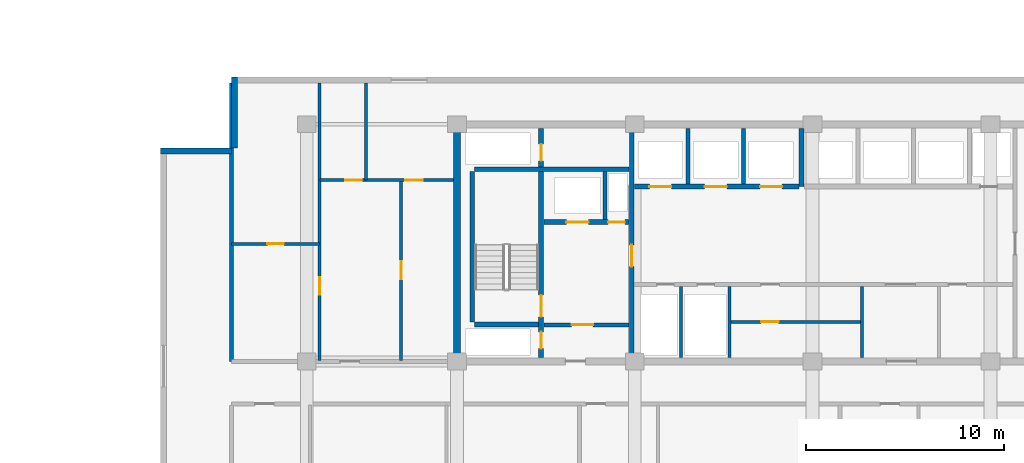
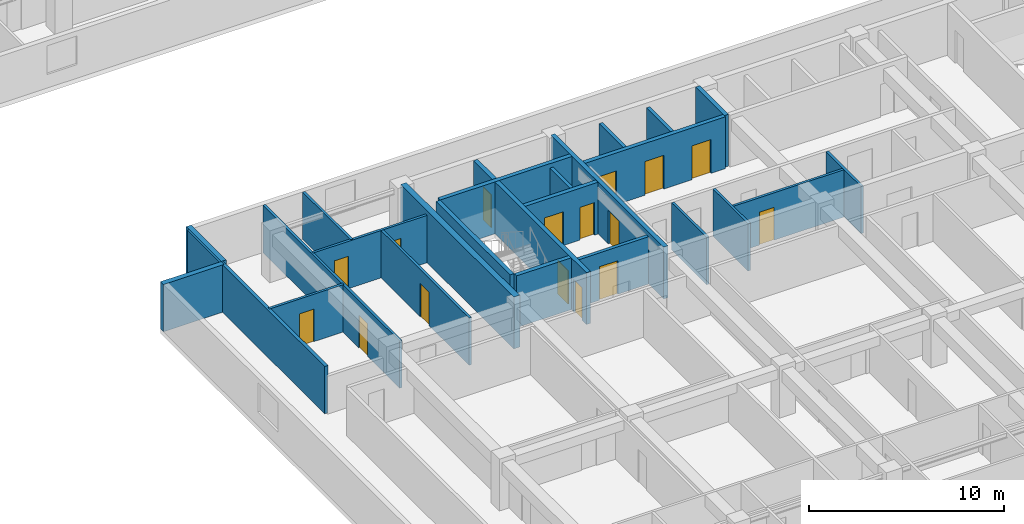
# One storey, part 7 of 23: 25 walls, 16 doors, 16 openings.
"""IFC4 building model written with IfcOpenShell, lengths in metres."""

from ifc_helpers import new_model, si_unit, direction, frame, frame_2d, origin, place, context, subcontext, project, spatial, rectangle, extrude, material, layer, layer_set, type_object, element, fill, save


model = new_model("IFC4")

# Units and contexts
model_context = context("Model", 3, precision=1e-05, world=origin(), true_north=direction((0.0, 1.0)))
body_context = subcontext(model_context, "Body", "Model", "MODEL_VIEW")
ifc_project = project(units=[si_unit("LENGTHUNIT", "METRE"), si_unit("AREAUNIT", "SQUARE_METRE"), si_unit("VOLUMEUNIT", "CUBIC_METRE"), si_unit("PLANEANGLEUNIT", "RADIAN"), si_unit("MASSUNIT", "GRAM", prefix="KILO")], contexts=[model_context])

# Site, building, storey
site_placement = place(None, origin())
site = spatial("IfcSite", under=ifc_project, at=site_placement, CompositionType="ELEMENT")
building_placement = place(site_placement, origin())
building = spatial("IfcBuilding", under=site, at=building_placement, Name="Korimba Cascade Residences", CompositionType="ELEMENT")
storey_placement = place(building_placement, frame((0.0, 0.0, 69.5)))
storey = spatial("IfcBuildingStorey", under=building, at=storey_placement, Name="L19", CompositionType="ELEMENT", Elevation=69.5)

# Walls
ifc_material_1 = material(Name="Precast concrete C40/50", Category="concrete")
ifc_layer_1 = layer(ifc_material_1, 0.300048828125)
ifc_layer_set_1 = layer_set([ifc_layer_1], Name="Precast concrete C40/50")
wall_type_1 = type_object("IfcWallType", Name="EW-STONE-300", PredefinedType="STANDARD", material=ifc_layer_set_1)
wall_1_placement = place(storey_placement, frame((70.85009765625, 32.800048828125, 0.0), z_axis=(0.0, 0.0, 1.0), x_axis=(0.0, -1.0, 0.0)))
element("IfcWall", 1, at=wall_1_placement, inside=storey, type_object=wall_type_1, Name="L19 T2 Perimeter Stone Wall E07", PredefinedType="STANDARD", context=body_context, shape_type="SweptSolid", body=[
    extrude(rectangle(XDim=3.60009765625, YDim=0.300048828125, at=frame_2d((1.800048828125, 0.0))), origin(), (0.0, 0.0, 1.0), 2.969970703125),
])
wall_2_placement = place(storey_placement, frame((70.699951171875, 29.050048828125, 0.0), z_axis=(0.0, 0.0, 1.0), x_axis=(-1.0, 0.0, 0.0)))
element("IfcWall", 2, at=wall_2_placement, inside=storey, type_object=wall_type_1, Name="L19 T2 Perimeter Stone Wall E08", PredefinedType="STANDARD", context=body_context, shape_type="SweptSolid", body=[
    extrude(rectangle(XDim=3.599853515625, YDim=0.300048828125, at=frame_2d((1.7998046875, 0.0))), origin(), (0.0, 0.0, 1.0), 2.969970703125),
])
ifc_material_2 = material(Name="Concrete C65/80", Category="concrete")
ifc_layer_2 = layer(ifc_material_2, 0.35009765625)
ifc_layer_set_2 = layer_set([ifc_layer_2], Name="Concrete C65/80")
wall_type_2 = type_object("IfcWallType", Name="WAL-CORE-350", PredefinedType="SHEAR", material=ifc_layer_set_2)
wall_3_placement = place(storey_placement, frame((82.10009765625, 18.574951171875, 0.0), z_axis=(0.0, 0.0, 1.0), x_axis=(0.0, 1.0, 0.0)))
element("IfcWall", 3, at=wall_3_placement, inside=storey, type_object=wall_type_2, Name="L19 Core Shear Wall CW-L19-T2-W", PredefinedType="SHEAR", context=body_context, shape_type="SweptSolid", body=[
    extrude(rectangle(XDim=11.650146484375, YDim=0.35009765625, at=frame_2d((5.8251953125, 0.0))), origin(), (0.0, 0.0, 1.0), 3.25),
])
ifc_layer_3 = layer(ifc_material_1, 0.199951171875)
ifc_layer_set_3 = layer_set([ifc_layer_3], Name="Precast concrete C40/50")
wall_type_3 = type_object("IfcWallType", Name="WAL-IT-200", PredefinedType="PARTITIONING", material=ifc_layer_set_3)
wall_4_placement = place(storey_placement, frame((70.699951171875, 18.39990234375, 0.0), z_axis=(0.0, 0.0, 1.0), x_axis=(0.0, 1.0, 0.0)))
element("IfcWall", 4, at=wall_4_placement, inside=storey, type_object=wall_type_3, Name="L19 Partition Wall WAL-L19-T2-FW-WL", PredefinedType="PARTITIONING", context=body_context, shape_type="SweptSolid", body=[
    extrude(rectangle(XDim=14.10009765625, YDim=0.199951171875, at=frame_2d((7.050048828125, 0.0))), origin(), (0.0, 0.0, 1.0), 2.969970703125),
])
ifc_material_3 = material(Name="Insulated Acoustic Stud Partition", Category="gypsum")
ifc_layer_4 = layer(ifc_material_3, 0.14990234375)
ifc_layer_set_4 = layer_set([ifc_layer_4], Name="Insulated Acoustic Stud Partition")
wall_type_4 = type_object("IfcWallType", Name="WAL-PART-150", PredefinedType="PARTITIONING", material=ifc_layer_set_4)
for number, where, z_axis, x_axis, name in (
    (5, (93.449951171875, 18.60009765625, 0.0), (0.0, 0.0, 1.0), (0.0, 1.0, 0.0), "L19 Partition Wall CW-L19-T2-ERDIV"),
    (6, (95.89990234375, 18.60009765625, 0.0), (0.0, 0.0, 1.0), (0.0, 1.0, 0.0), "L19 Partition Wall CW-L19-T2-PRDIV"),
):
    element("IfcWall", number, at=place(storey_placement, frame(where, z_axis=z_axis, x_axis=x_axis)), inside=storey, type_object=wall_type_4, Name=name, PredefinedType="PARTITIONING", context=body_context, shape_type="SweptSolid", body=[
        extrude(rectangle(XDim=3.599853515625, YDim=0.14990234375, at=frame_2d((1.7998046875, 0.0))), origin(), (0.0, 0.0, 1.0), 2.969970703125),
    ])

# Wall, opening, door
wall_5_placement = place(storey_placement, frame((95.89990234375, 20.39990234375, 0.0), z_axis=(0.0, 0.0, 1.0), x_axis=(1.0, 0.0, 0.0)))
wall_5 = element("IfcWall", 7, at=wall_5_placement, inside=storey, type_object=wall_type_4, Name="L19 Partition Wall CW-L19-T2-CA2HZ", PredefinedType="PARTITIONING", context=body_context, shape_type="SweptSolid", body=[
    extrude(rectangle(XDim=6.7001953125, YDim=0.14990234375, at=frame_2d((3.35009765625, 0.0))), origin(), (0.0, 0.0, 1.0), 2.969970703125),
])
opening_1_placement = place(wall_5_placement, frame((1.60009765625, 0.0, 0.0)))
opening_1 = element("IfcOpeningElement", 8, at=opening_1_placement, cuts=wall_5, Name="Opening D-IN2", PredefinedType="OPENING", context=body_context, shape_type="SweptSolid", body=[
    extrude(rectangle(XDim=0.8798828125, YDim=2.06005859375, at=frame_2d((0.43994140625, 1.030029296875))), frame((0.0, 0.0849609375, 0.0), z_axis=(0.0, -1.0, 0.0), x_axis=(1.0, 0.0, 0.0)), (0.0, 0.0, 1.0), 0.169921875),
])
ifc_material_4 = material(Name="Acoustic Timber Bedroom Door", Category="wood")
door_type_1 = type_object("IfcDoorType", Name="DR-INT-880", OperationType="NOTDEFINED", PredefinedType="DOOR", material=ifc_material_4)
door_1_placement = place(opening_1_placement, origin())
door_1 = element("IfcDoor", 9, at=door_1_placement, inside=storey, type_object=door_type_1, Name="L19 T2 Pram Store Door", OperationType="SINGLE_SWING_RIGHT", OverallHeight=2.06005859375, OverallWidth=0.8798828125, PredefinedType="DOOR", context=body_context, shape_type="SweptSolid", body=[
    extrude(rectangle(XDim=0.8798828125, YDim=2.06005859375, at=frame_2d((0.43994140625, 1.030029296875))), frame((0.0, 0.02490234375, 0.0), z_axis=(0.0, -1.0, 0.0), x_axis=(1.0, 0.0, 0.0)), (0.0, 0.0, 1.0), 0.050048828125),
])
fill(opening_1, door_1)

# Wall
wall_6_placement = place(storey_placement, frame((102.60009765625, 18.60009765625, 0.0), z_axis=(0.0, 0.0, 1.0), x_axis=(0.0, 1.0, 0.0)))
element("IfcWall", 10, at=wall_6_placement, inside=storey, type_object=wall_type_4, Name="L19 Partition Wall CW-L19-T2-THW", PredefinedType="PARTITIONING", context=body_context, shape_type="SweptSolid", body=[
    extrude(rectangle(XDim=3.599853515625, YDim=0.14990234375, at=frame_2d((1.7998046875, 0.0))), origin(), (0.0, 0.0, 1.0), 2.969970703125),
])

# Wall, opening, door
wall_7_placement = place(storey_placement, frame((70.699951171875, 24.35009765625, 0.0), z_axis=(0.0, 0.0, 1.0), x_axis=(1.0, 0.0, 0.0)))
wall_7 = element("IfcWall", 11, at=wall_7_placement, inside=storey, type_object=wall_type_4, Name="L19 Partition Wall WAL-L19-T2-FW-STH", PredefinedType="PARTITIONING", context=body_context, shape_type="SweptSolid", body=[
    extrude(rectangle(XDim=4.449951171875, YDim=0.14990234375, at=frame_2d((2.22509765625, 0.0))), origin(), (0.0, 0.0, 1.0), 2.969970703125),
])
opening_2_placement = place(wall_7_placement, frame((1.804931640625, 0.0, 0.0)))
opening_2 = element("IfcOpeningElement", 12, at=opening_2_placement, cuts=wall_7, Name="Opening D-BT1", PredefinedType="OPENING", context=body_context, shape_type="SweptSolid", body=[
    extrude(rectangle(XDim=0.840087890625, YDim=2.0400390625, at=frame_2d((0.419921875, 1.02001953125))), frame((0.0, 0.0849609375, 0.0), z_axis=(0.0, -1.0, 0.0), x_axis=(1.0, 0.0, 0.0)), (0.0, 0.0, 1.0), 0.169921875),
])
ifc_material_5 = material(Name="Moisture-Resistant Bathroom Timber Door", Category="wood")
door_type_2 = type_object("IfcDoorType", Name="DR-INT-850", OperationType="NOTDEFINED", PredefinedType="DOOR", material=ifc_material_5)
door_2_placement = place(opening_2_placement, origin())
door_2 = element("IfcDoor", 13, at=door_2_placement, inside=storey, type_object=door_type_2, Name="L19-T2-FW Dressing Store Door", OperationType="SINGLE_SWING_LEFT", OverallHeight=2.0400390625, OverallWidth=0.840087890625, PredefinedType="DOOR", context=body_context, shape_type="SweptSolid", body=[
    extrude(rectangle(XDim=0.840087890625, YDim=2.0400390625, at=frame_2d((0.419921875, 1.02001953125))), frame((0.0, 0.02490234375, 0.0), z_axis=(0.0, -1.0, 0.0), x_axis=(1.0, 0.0, 0.0)), (0.0, 0.0, 1.0), 0.050048828125),
])
fill(opening_2, door_2)

wall_8_placement = place(storey_placement, frame((75.14990234375, 18.449951171875, 0.0), z_axis=(0.0, 0.0, 1.0), x_axis=(0.0, 1.0, 0.0)))
wall_8 = element("IfcWall", 14, at=wall_8_placement, inside=storey, type_object=wall_type_4, Name="L19 Partition Wall WAL-L19-T2-FW-STV", PredefinedType="PARTITIONING", context=body_context, shape_type="SweptSolid", body=[
    extrude(rectangle(XDim=14.050048828125, YDim=0.14990234375, at=frame_2d((7.02490234375, 0.0))), origin(), (0.0, 0.0, 1.0), 2.969970703125),
])
opening_3_placement = place(wall_8_placement, frame((3.320068359375, 0.0, 0.0)))
opening_3 = element("IfcOpeningElement", 15, at=opening_3_placement, cuts=wall_8, Name="Opening D-IN2", PredefinedType="OPENING", context=body_context, shape_type="SweptSolid", body=[
    extrude(rectangle(XDim=0.8798828125, YDim=2.06005859375, at=frame_2d((0.43994140625, 1.030029296875))), frame((0.0, 0.0849609375, 0.0), z_axis=(0.0, -1.0, 0.0), x_axis=(1.0, 0.0, 0.0)), (0.0, 0.0, 1.0), 0.169921875),
])
door_3_placement = place(opening_3_placement, origin())
door_3 = element("IfcDoor", 16, at=door_3_placement, inside=storey, type_object=door_type_1, Name="L19-T2-FW Study Door", OperationType="SINGLE_SWING_RIGHT", OverallHeight=2.06005859375, OverallWidth=0.8798828125, PredefinedType="DOOR", context=body_context, shape_type="SweptSolid", body=[
    extrude(rectangle(XDim=0.8798828125, YDim=2.06005859375, at=frame_2d((0.43994140625, 1.030029296875))), frame((0.0, 0.02490234375, 0.0), z_axis=(0.0, -1.0, 0.0), x_axis=(1.0, 0.0, 0.0)), (0.0, 0.0, 1.0), 0.050048828125),
])
fill(opening_3, door_3)

wall_9_placement = place(storey_placement, frame((79.27001953125, 18.449951171875, 0.0), z_axis=(0.0, 0.0, 1.0), x_axis=(0.0, 1.0, 0.0)))
wall_9 = element("IfcWall", 17, at=wall_9_placement, inside=storey, type_object=wall_type_4, Name="L19 Partition Wall WAL-L19-T2-FW-VS", PredefinedType="PARTITIONING", context=body_context, shape_type="SweptSolid", body=[
    extrude(rectangle(XDim=9.1201171875, YDim=0.14990234375, at=frame_2d((4.56005859375, 0.0))), origin(), (0.0, 0.0, 1.0), 2.969970703125),
])
opening_4_placement = place(wall_9_placement, frame((4.10009765625, 0.0, 0.0)))
opening_4 = element("IfcOpeningElement", 18, at=opening_4_placement, cuts=wall_9, Name="Opening D-IN1", PredefinedType="OPENING", context=body_context, shape_type="SweptSolid", body=[
    extrude(rectangle(XDim=0.919921875, YDim=2.080078125, at=frame_2d((0.4599609375, 1.0400390625))), frame((0.0, 0.0849609375, 0.0), z_axis=(0.0, -1.0, 0.0), x_axis=(1.0, 0.0, 0.0)), (0.0, 0.0, 1.0), 0.169921875),
])
ifc_material_6 = material(Name="Acoustic Timber Living Door", Category="wood")
door_type_3 = type_object("IfcDoorType", Name="DR-INT-920", OperationType="NOTDEFINED", PredefinedType="DOOR", material=ifc_material_6)
door_4_placement = place(opening_4_placement, origin())
door_4 = element("IfcDoor", 19, at=door_4_placement, inside=storey, type_object=door_type_3, Name="L19-T2-FW Living Door", OperationType="SINGLE_SWING_LEFT", OverallHeight=2.080078125, OverallWidth=0.919921875, PredefinedType="DOOR", context=body_context, shape_type="SweptSolid", body=[
    extrude(rectangle(XDim=0.919921875, YDim=2.080078125, at=frame_2d((0.4599609375, 1.0400390625))), frame((0.0, 0.02490234375, 0.0), z_axis=(0.0, -1.0, 0.0), x_axis=(1.0, 0.0, 0.0)), (0.0, 0.0, 1.0), 0.050048828125),
])
fill(opening_4, door_4)

# Wall
wall_10_placement = place(storey_placement, frame((77.5, 27.570068359375, 0.0), z_axis=(0.0, 0.0, 1.0), x_axis=(0.0, 1.0, 0.0)))
element("IfcWall", 20, at=wall_10_placement, inside=storey, type_object=wall_type_4, Name="L19 Partition Wall WAL-L19-T2-FW-VN", PredefinedType="PARTITIONING", context=body_context, shape_type="SweptSolid", body=[
    extrude(rectangle(XDim=4.929931640625, YDim=0.14990234375, at=frame_2d((2.46484375, 0.0))), origin(), (0.0, 0.0, 1.0), 2.969970703125),
])

# Wall, openings, doors
wall_11_placement = place(storey_placement, frame((75.169921875, 27.570068359375, 0.0), z_axis=(0.0, 0.0, 1.0), x_axis=(1.0, 0.0, 0.0)))
wall_11 = element("IfcWall", 21, at=wall_11_placement, inside=storey, type_object=wall_type_4, Name="L19 Partition Wall WAL-L19-T2-FW-H", PredefinedType="PARTITIONING", context=body_context, shape_type="SweptSolid", body=[
    extrude(rectangle(XDim=6.760009765625, YDim=0.14990234375, at=frame_2d((3.3798828125, 0.0))), origin(), (0.0, 0.0, 1.0), 2.969970703125),
])
opening_5_placement = place(wall_11_placement, frame((1.266357421875, 0.0, 0.0)))
opening_5 = element("IfcOpeningElement", 22, at=opening_5_placement, cuts=wall_11, Name="Opening D-BT1", PredefinedType="OPENING", context=body_context, shape_type="SweptSolid", body=[
    extrude(rectangle(XDim=0.840087890625, YDim=2.0400390625, at=frame_2d((0.419921875, 1.02001953125))), frame((0.0, 0.0849609375, 0.0), z_axis=(0.0, -1.0, 0.0), x_axis=(1.0, 0.0, 0.0)), (0.0, 0.0, 1.0), 0.169921875),
])
opening_6_placement = place(wall_11_placement, frame((4.320068359375, 0.0, 0.0)))
opening_6 = element("IfcOpeningElement", 23, at=opening_6_placement, cuts=wall_11, Name="Opening D-IN2", PredefinedType="OPENING", context=body_context, shape_type="SweptSolid", body=[
    extrude(rectangle(XDim=0.8798828125, YDim=2.06005859375, at=frame_2d((0.43994140625, 1.030029296875))), frame((0.0, 0.0849609375, 0.0), z_axis=(0.0, -1.0, 0.0), x_axis=(1.0, 0.0, 0.0)), (0.0, 0.0, 1.0), 0.169921875),
])
door_5_placement = place(opening_5_placement, origin())
door_5 = element("IfcDoor", 24, at=door_5_placement, inside=storey, type_object=door_type_2, Name="L19-T2-FW Bathroom Door", OperationType="SINGLE_SWING_RIGHT", OverallHeight=2.0400390625, OverallWidth=0.840087890625, PredefinedType="DOOR", context=body_context, shape_type="SweptSolid", body=[
    extrude(rectangle(XDim=0.840087890625, YDim=2.0400390625, at=frame_2d((0.419921875, 1.02001953125))), frame((0.0, 0.02490234375, 0.0), z_axis=(0.0, -1.0, 0.0), x_axis=(1.0, 0.0, 0.0)), (0.0, 0.0, 1.0), 0.050048828125),
])
fill(opening_5, door_5)
door_6_placement = place(opening_6_placement, origin())
door_6 = element("IfcDoor", 25, at=door_6_placement, inside=storey, type_object=door_type_1, Name="L19-T2-FW Bedroom Door", OperationType="SINGLE_SWING_LEFT", OverallHeight=2.06005859375, OverallWidth=0.8798828125, PredefinedType="DOOR", context=body_context, shape_type="SweptSolid", body=[
    extrude(rectangle(XDim=0.8798828125, YDim=2.06005859375, at=frame_2d((0.43994140625, 1.030029296875))), frame((0.0, 0.02490234375, 0.0), z_axis=(0.0, -1.0, 0.0), x_axis=(1.0, 0.0, 0.0)), (0.0, 0.0, 1.0), 0.050048828125),
])
fill(opening_6, door_6)

# Wall
ifc_material_7 = material(Name="Concrete C40/50", Category="concrete")
ifc_layer_5 = layer(ifc_material_7, 0.199951171875)
ifc_layer_set_5 = layer_set([ifc_layer_5], Name="Concrete C40/50")
wall_type_5 = type_object("IfcWallType", Name="WAL-PART-200", PredefinedType="PARTITIONING", material=ifc_layer_set_5)
wall_12_placement = place(storey_placement, frame((89.60009765625, 25.580078125, 0.0), z_axis=(0.0, 0.0, 1.0), x_axis=(0.0, 1.0, 0.0)))
element("IfcWall", 26, at=wall_12_placement, inside=storey, type_object=wall_type_5, Name="L19 Partition Wall CW-L19-T2-FFLDIV", PredefinedType="PARTITIONING", context=body_context, shape_type="SweptSolid", body=[
    extrude(rectangle(XDim=2.419921875, YDim=0.199951171875, at=frame_2d((1.2099609375, 0.0))), origin(), (0.0, 0.0, 1.0), 2.969970703125),
])

# Wall, opening, door
wall_13_placement = place(storey_placement, frame((86.5, 20.25, 0.0), z_axis=(0.0, 0.0, 1.0), x_axis=(1.0, 0.0, 0.0)))
wall_13 = element("IfcWall", 27, at=wall_13_placement, inside=storey, type_object=wall_type_5, Name="L19 Partition Wall CW-L19-T2-FFLS", PredefinedType="PARTITIONING", context=body_context, shape_type="SweptSolid", body=[
    extrude(rectangle(XDim=4.320068359375, YDim=0.199951171875, at=frame_2d((2.16015625, 0.0))), origin(), (0.0, 0.0, 1.0), 2.969970703125),
])
opening_7_placement = place(wall_13_placement, frame((1.39990234375, 0.0, 0.0)))
opening_7 = element("IfcOpeningElement", 28, at=opening_7_placement, cuts=wall_13, Name="Opening D-FD1", PredefinedType="OPENING", context=body_context, shape_type="SweptSolid", body=[
    extrude(rectangle(XDim=1.10009765625, YDim=2.10009765625, at=frame_2d((0.550048828125, 1.050048828125))), frame((0.0, 0.10986328125, 0.0), z_axis=(0.0, -1.0, 0.0), x_axis=(1.0, 0.0, 0.0)), (0.0, 0.0, 1.0), 0.219970703125),
])
ifc_material_8 = material(Name="Fire-Rated Steel Core Door", Category="steel")
door_type_4 = type_object("IfcDoorType", Name="DR-FD120-1100", OperationType="NOTDEFINED", PredefinedType="DOOR", material=ifc_material_8)
door_7_placement = place(opening_7_placement, origin())
door_7 = element("IfcDoor", 29, at=door_7_placement, inside=storey, type_object=door_type_4, Name="L19 T2 Firefighting Lobby Door", OperationType="SINGLE_SWING_LEFT", OverallHeight=2.10009765625, OverallWidth=1.10009765625, PredefinedType="DOOR", context=body_context, shape_type="SweptSolid", body=[
    extrude(rectangle(XDim=1.10009765625, YDim=2.10009765625, at=frame_2d((0.550048828125, 1.050048828125))), frame((0.0, 0.02490234375, 0.0), z_axis=(0.0, -1.0, 0.0), x_axis=(1.0, 0.0, 0.0)), (0.0, 0.0, 1.0), 0.050048828125),
])
fill(opening_7, door_7)

# Walls
for number, where, z_axis, x_axis, name in (
    (30, (93.800048828125, 27.3798828125, 0.0), (0.0, 0.0, 1.0), (0.0, 1.0, 0.0), "L19 Partition Wall CW-L19-T2-B1D1"),
    (31, (96.60009765625, 27.3798828125, 0.0), (0.0, 0.0, 1.0), (0.0, 1.0, 0.0), "L19 Partition Wall CW-L19-T2-B1D2"),
):
    element("IfcWall", number, at=place(storey_placement, frame(where, z_axis=z_axis, x_axis=x_axis)), inside=storey, type_object=wall_type_5, Name=name, PredefinedType="PARTITIONING", context=body_context, shape_type="SweptSolid", body=[
        extrude(rectangle(XDim=2.820068359375, YDim=0.199951171875, at=frame_2d((1.41015625, 0.0))), origin(), (0.0, 0.0, 1.0), 2.969970703125),
    ])
ifc_material_9 = material(Name="Concrete C50/60", Category="concrete")
ifc_layer_6 = layer(ifc_material_9, 0.25)
ifc_layer_set_6 = layer_set([ifc_layer_6], Name="Concrete C50/60")
wall_type_6 = type_object("IfcWallType", Name="WAL-SHAFT-250", PredefinedType="SHEAR", material=ifc_layer_set_6)
wall_14_placement = place(storey_placement, frame((82.875, 20.39990234375, 0.0), z_axis=(0.0, 0.0, 1.0), x_axis=(0.0, 1.0, 0.0)))
element("IfcWall", 32, at=wall_14_placement, inside=storey, type_object=wall_type_6, Name="L19 Core Shear Wall CW-L19-T2-STE1W", PredefinedType="SHEAR", context=body_context, shape_type="SweptSolid", body=[
    extrude(rectangle(XDim=7.60009765625, YDim=0.25, at=frame_2d((3.800048828125, 0.0))), origin(), (0.0, 0.0, 1.0), 3.25),
])

# Wall, openings, doors
wall_15_placement = place(storey_placement, frame((86.364990234375, 18.60009765625, 0.0), z_axis=(0.0, 0.0, 1.0), x_axis=(0.0, 1.0, 0.0)))
wall_15 = element("IfcWall", 33, at=wall_15_placement, inside=storey, type_object=wall_type_6, Name="L19 Core Shear Wall CW-L19-T2-STE1E", PredefinedType="SHEAR", context=body_context, shape_type="SweptSolid", body=[
    extrude(rectangle(XDim=11.599853515625, YDim=0.25, at=frame_2d((5.7998046875, 0.0))), origin(), (0.0, 0.0, 1.0), 3.25),
])
opening_8_placement = place(wall_15_placement, frame((0.449951171875, 0.0, 0.0)))
opening_8 = element("IfcOpeningElement", 34, at=opening_8_placement, cuts=wall_15, Name="Opening D-RS1", PredefinedType="OPENING", context=body_context, shape_type="SweptSolid", body=[
    extrude(rectangle(XDim=0.85009765625, YDim=2.050048828125, at=frame_2d((0.425048828125, 1.02490234375))), frame((0.0, 0.135009765625, 0.0), z_axis=(0.0, -1.0, 0.0), x_axis=(1.0, 0.0, 0.0)), (0.0, 0.0, 1.0), 0.27001953125),
])
opening_9_placement = place(wall_15_placement, frame((2.050048828125, 0.0, 0.0)))
opening_9 = element("IfcOpeningElement", 35, at=opening_9_placement, cuts=wall_15, Name="Opening D-FD1", PredefinedType="OPENING", context=body_context, shape_type="SweptSolid", body=[
    extrude(rectangle(XDim=1.10009765625, YDim=2.10009765625, at=frame_2d((0.550048828125, 1.050048828125))), frame((0.0, 0.135009765625, 0.0), z_axis=(0.0, -1.0, 0.0), x_axis=(1.0, 0.0, 0.0)), (0.0, 0.0, 1.0), 0.27001953125),
])
opening_10_placement = place(wall_15_placement, frame((9.949951171875, 0.0, 0.0)))
opening_10 = element("IfcOpeningElement", 36, at=opening_10_placement, cuts=wall_15, Name="Opening D-RS1", PredefinedType="OPENING", context=body_context, shape_type="SweptSolid", body=[
    extrude(rectangle(XDim=0.85009765625, YDim=2.050048828125, at=frame_2d((0.425048828125, 1.02490234375))), frame((0.0, 0.135009765625, 0.0), z_axis=(0.0, -1.0, 0.0), x_axis=(1.0, 0.0, 0.0)), (0.0, 0.0, 1.0), 0.27001953125),
])
door_8_placement = place(opening_9_placement, origin())
door_8 = element("IfcDoor", 37, at=door_8_placement, inside=storey, type_object=door_type_4, Name="L19 Fire Stair ST-E1 Door", OperationType="SINGLE_SWING_RIGHT", OverallHeight=2.10009765625, OverallWidth=1.10009765625, PredefinedType="DOOR", context=body_context, shape_type="SweptSolid", body=[
    extrude(rectangle(XDim=1.10009765625, YDim=2.10009765625, at=frame_2d((0.550048828125, 1.050048828125))), frame((0.0, 0.02490234375, 0.0), z_axis=(0.0, -1.0, 0.0), x_axis=(1.0, 0.0, 0.0)), (0.0, 0.0, 1.0), 0.050048828125),
])
fill(opening_9, door_8)
ifc_material_10 = material(Name="Fire-Rated Steel Riser Access Door", Category="steel")
door_type_5 = type_object("IfcDoorType", Name="DR-FD60-850", OperationType="NOTDEFINED", PredefinedType="DOOR", material=ifc_material_10)
door_9_placement = place(opening_8_placement, origin())
door_9 = element("IfcDoor", 38, at=door_9_placement, inside=storey, type_object=door_type_5, Name="L19 T2 Hydrant Riser Door", OperationType="SINGLE_SWING_LEFT", OverallHeight=2.050048828125, OverallWidth=0.85009765625, PredefinedType="DOOR", context=body_context, shape_type="SweptSolid", body=[
    extrude(rectangle(XDim=0.85009765625, YDim=2.050048828125, at=frame_2d((0.425048828125, 1.02490234375))), frame((0.0, 0.02490234375, 0.0), z_axis=(0.0, -1.0, 0.0), x_axis=(1.0, 0.0, 0.0)), (0.0, 0.0, 1.0), 0.050048828125),
])
fill(opening_8, door_9)
door_10_placement = place(opening_10_placement, origin())
door_10 = element("IfcDoor", 39, at=door_10_placement, inside=storey, type_object=door_type_5, Name="L19 T2 Smoke Shaft Door", OperationType="SINGLE_SWING_LEFT", OverallHeight=2.050048828125, OverallWidth=0.85009765625, PredefinedType="DOOR", context=body_context, shape_type="SweptSolid", body=[
    extrude(rectangle(XDim=0.85009765625, YDim=2.050048828125, at=frame_2d((0.425048828125, 1.02490234375))), frame((0.0, 0.02490234375, 0.0), z_axis=(0.0, -1.0, 0.0), x_axis=(1.0, 0.0, 0.0)), (0.0, 0.0, 1.0), 0.050048828125),
])
fill(opening_10, door_10)

# Walls
wall_16_placement = place(storey_placement, frame((83.0, 20.27490234375, 0.0), z_axis=(0.0, 0.0, 1.0), x_axis=(1.0, 0.0, 0.0)))
element("IfcWall", 40, at=wall_16_placement, inside=storey, type_object=wall_type_6, Name="L19 Core Shear Wall CW-L19-T2-STE1S", PredefinedType="SHEAR", context=body_context, shape_type="SweptSolid", body=[
    extrude(rectangle(XDim=3.239990234375, YDim=0.25, at=frame_2d((1.6201171875, 0.0))), origin(), (0.0, 0.0, 1.0), 3.25),
])
wall_17_placement = place(storey_placement, frame((83.0, 28.125, 0.0), z_axis=(0.0, 0.0, 1.0), x_axis=(1.0, 0.0, 0.0)))
element("IfcWall", 41, at=wall_17_placement, inside=storey, type_object=wall_type_6, Name="L19 Core Shear Wall CW-L19-T2-STE1N", PredefinedType="SHEAR", context=body_context, shape_type="SweptSolid", body=[
    extrude(rectangle(XDim=7.820068359375, YDim=0.25, at=frame_2d((3.91015625, 0.0))), origin(), (0.0, 0.0, 1.0), 3.25),
])

# Wall, openings, doors
wall_18_placement = place(storey_placement, frame((86.5, 25.449951171875, 0.0), z_axis=(0.0, 0.0, 1.0), x_axis=(1.0, 0.0, 0.0)))
wall_18 = element("IfcWall", 42, at=wall_18_placement, inside=storey, type_object=wall_type_6, Name="L19 Core Shear Wall CW-L19-T2-FFLN", PredefinedType="SHEAR", context=body_context, shape_type="SweptSolid", body=[
    extrude(rectangle(XDim=4.320068359375, YDim=0.25, at=frame_2d((2.16015625, 0.0))), origin(), (0.0, 0.0, 1.0), 3.25),
])
opening_11_placement = place(wall_18_placement, frame((1.139892578125, 0.0, 0.0)))
opening_11 = element("IfcOpeningElement", 43, at=opening_11_placement, cuts=wall_18, Name="Opening LD-01", PredefinedType="OPENING", context=body_context, shape_type="SweptSolid", body=[
    extrude(rectangle(XDim=1.1201171875, YDim=2.1201171875, at=frame_2d((0.56005859375, 1.06005859375))), frame((0.0, 0.135009765625, 0.0), z_axis=(0.0, -1.0, 0.0), x_axis=(1.0, 0.0, 0.0)), (0.0, 0.0, 1.0), 0.27001953125),
])
opening_12_placement = place(wall_18_placement, frame((3.25, 0.0, 0.0)))
opening_12 = element("IfcOpeningElement", 44, at=opening_12_placement, cuts=wall_18, Name="Opening D-RS1", PredefinedType="OPENING", context=body_context, shape_type="SweptSolid", body=[
    extrude(rectangle(XDim=0.85009765625, YDim=2.050048828125, at=frame_2d((0.425048828125, 1.02490234375))), frame((0.0, 0.135009765625, 0.0), z_axis=(0.0, -1.0, 0.0), x_axis=(1.0, 0.0, 0.0)), (0.0, 0.0, 1.0), 0.27001953125),
])
door_11_placement = place(opening_12_placement, origin())
door_11 = element("IfcDoor", 45, at=door_11_placement, inside=storey, type_object=door_type_5, Name="L19 T2 Pressurisation Riser Door", OperationType="SINGLE_SWING_RIGHT", OverallHeight=2.050048828125, OverallWidth=0.85009765625, PredefinedType="DOOR", context=body_context, shape_type="SweptSolid", body=[
    extrude(rectangle(XDim=0.85009765625, YDim=2.050048828125, at=frame_2d((0.425048828125, 1.02490234375))), frame((0.0, 0.02490234375, 0.0), z_axis=(0.0, -1.0, 0.0), x_axis=(1.0, 0.0, 0.0)), (0.0, 0.0, 1.0), 0.050048828125),
])
fill(opening_12, door_11)
ifc_material_11 = material(Name="Stainless Steel Lift Landing Sliding Door", Category="steel")
door_type_6 = type_object("IfcDoorType", Name="DR-LIFT-1100", OperationType="NOTDEFINED", PredefinedType="DOOR", material=ifc_material_11)
door_12_placement = place(opening_11_placement, origin())
door_12 = element("IfcDoor", 46, at=door_12_placement, inside=storey, type_object=door_type_6, Name="L19 Firefighting Lift Landing Door FFL-E1", OperationType="SLIDING_TO_RIGHT", OverallHeight=2.1201171875, OverallWidth=1.1201171875, PredefinedType="DOOR", context=body_context, shape_type="SweptSolid", body=[
    extrude(rectangle(XDim=1.1201171875, YDim=2.1201171875, at=frame_2d((0.56005859375, 1.06005859375))), frame((0.0, 0.02490234375, 0.0), z_axis=(0.0, -1.0, 0.0), x_axis=(1.0, 0.0, 0.0)), (0.0, 0.0, 1.0), 0.050048828125),
])
fill(opening_11, door_12)

# Wall, opening, door
wall_19_placement = place(storey_placement, frame((90.949951171875, 18.60009765625, 0.0), z_axis=(0.0, 0.0, 1.0), x_axis=(0.0, 1.0, 0.0)))
wall_19 = element("IfcWall", 47, at=wall_19_placement, inside=storey, type_object=wall_type_6, Name="L19 Core Shear Wall CW-L19-T2-FFLE", PredefinedType="SHEAR", context=body_context, shape_type="SweptSolid", body=[
    extrude(rectangle(XDim=11.599853515625, YDim=0.25, at=frame_2d((5.7998046875, 0.0))), origin(), (0.0, 0.0, 1.0), 3.25),
])
opening_13_placement = place(wall_19_placement, frame((4.60009765625, 0.0, 0.0)))
opening_13 = element("IfcOpeningElement", 48, at=opening_13_placement, cuts=wall_19, Name="Opening D-FD1", PredefinedType="OPENING", context=body_context, shape_type="SweptSolid", body=[
    extrude(rectangle(XDim=1.10009765625, YDim=2.10009765625, at=frame_2d((0.550048828125, 1.050048828125))), frame((0.0, 0.135009765625, 0.0), z_axis=(0.0, -1.0, 0.0), x_axis=(1.0, 0.0, 0.0)), (0.0, 0.0, 1.0), 0.27001953125),
])
door_13_placement = place(opening_13_placement, origin())
door_13 = element("IfcDoor", 49, at=door_13_placement, inside=storey, type_object=door_type_4, Name="L19 T2 Firefighting Lobby to Lift Lobby Door", OperationType="SINGLE_SWING_RIGHT", OverallHeight=2.10009765625, OverallWidth=1.10009765625, PredefinedType="DOOR", context=body_context, shape_type="SweptSolid", body=[
    extrude(rectangle(XDim=1.10009765625, YDim=2.10009765625, at=frame_2d((0.550048828125, 1.050048828125))), frame((0.0, 0.02490234375, 0.0), z_axis=(0.0, -1.0, 0.0), x_axis=(1.0, 0.0, 0.0)), (0.0, 0.0, 1.0), 0.050048828125),
])
fill(opening_13, door_13)

# Wall, openings, doors
wall_20_placement = place(storey_placement, frame((91.080078125, 27.25, 0.0), z_axis=(0.0, 0.0, 1.0), x_axis=(1.0, 0.0, 0.0)))
wall_20 = element("IfcWall", 50, at=wall_20_placement, inside=storey, type_object=wall_type_6, Name="L19 Core Shear Wall CW-L19-T2-B1S", PredefinedType="SHEAR", context=body_context, shape_type="SweptSolid", body=[
    extrude(rectangle(XDim=8.33984375, YDim=0.25, at=frame_2d((4.169921875, 0.0))), origin(), (0.0, 0.0, 1.0), 3.25),
])
opening_14_placement = place(wall_20_placement, frame((0.760009765625, 0.0, 0.0)))
opening_14 = element("IfcOpeningElement", 51, at=opening_14_placement, cuts=wall_20, Name="Opening LD-01", PredefinedType="OPENING", context=body_context, shape_type="SweptSolid", body=[
    extrude(rectangle(XDim=1.1201171875, YDim=2.1201171875, at=frame_2d((0.56005859375, 1.06005859375))), frame((0.0, 0.135009765625, 0.0), z_axis=(0.0, -1.0, 0.0), x_axis=(1.0, 0.0, 0.0)), (0.0, 0.0, 1.0), 0.27001953125),
])
opening_15_placement = place(wall_20_placement, frame((3.56005859375, 0.0, 0.0)))
opening_15 = element("IfcOpeningElement", 52, at=opening_15_placement, cuts=wall_20, Name="Opening LD-01", PredefinedType="OPENING", context=body_context, shape_type="SweptSolid", body=[
    extrude(rectangle(XDim=1.1201171875, YDim=2.1201171875, at=frame_2d((0.56005859375, 1.06005859375))), frame((0.0, 0.135009765625, 0.0), z_axis=(0.0, -1.0, 0.0), x_axis=(1.0, 0.0, 0.0)), (0.0, 0.0, 1.0), 0.27001953125),
])
opening_16_placement = place(wall_20_placement, frame((6.360107421875, 0.0, 0.0)))
opening_16 = element("IfcOpeningElement", 53, at=opening_16_placement, cuts=wall_20, Name="Opening LD-01", PredefinedType="OPENING", context=body_context, shape_type="SweptSolid", body=[
    extrude(rectangle(XDim=1.1201171875, YDim=2.1201171875, at=frame_2d((0.56005859375, 1.06005859375))), frame((0.0, 0.135009765625, 0.0), z_axis=(0.0, -1.0, 0.0), x_axis=(1.0, 0.0, 0.0)), (0.0, 0.0, 1.0), 0.27001953125),
])
door_14_placement = place(opening_14_placement, origin())
door_14 = element("IfcDoor", 54, at=door_14_placement, inside=storey, type_object=door_type_6, Name="L19 Lift Landing Door PL-E1", OperationType="SLIDING_TO_LEFT", OverallHeight=2.1201171875, OverallWidth=1.1201171875, PredefinedType="DOOR", context=body_context, shape_type="SweptSolid", body=[
    extrude(rectangle(XDim=1.1201171875, YDim=2.1201171875, at=frame_2d((0.56005859375, 1.06005859375))), frame((0.0, 0.02490234375, 0.0), z_axis=(0.0, -1.0, 0.0), x_axis=(1.0, 0.0, 0.0)), (0.0, 0.0, 1.0), 0.050048828125),
])
fill(opening_14, door_14)
door_15_placement = place(opening_15_placement, origin())
door_15 = element("IfcDoor", 55, at=door_15_placement, inside=storey, type_object=door_type_6, Name="L19 Lift Landing Door PL-E2", OperationType="SLIDING_TO_LEFT", OverallHeight=2.1201171875, OverallWidth=1.1201171875, PredefinedType="DOOR", context=body_context, shape_type="SweptSolid", body=[
    extrude(rectangle(XDim=1.1201171875, YDim=2.1201171875, at=frame_2d((0.56005859375, 1.06005859375))), frame((0.0, 0.02490234375, 0.0), z_axis=(0.0, -1.0, 0.0), x_axis=(1.0, 0.0, 0.0)), (0.0, 0.0, 1.0), 0.050048828125),
])
fill(opening_15, door_15)
door_16_placement = place(opening_16_placement, origin())
door_16 = element("IfcDoor", 56, at=door_16_placement, inside=storey, type_object=door_type_6, Name="L19 Lift Landing Door PL-E3", OperationType="SLIDING_TO_LEFT", OverallHeight=2.1201171875, OverallWidth=1.1201171875, PredefinedType="DOOR", context=body_context, shape_type="SweptSolid", body=[
    extrude(rectangle(XDim=1.1201171875, YDim=2.1201171875, at=frame_2d((0.56005859375, 1.06005859375))), frame((0.0, 0.02490234375, 0.0), z_axis=(0.0, -1.0, 0.0), x_axis=(1.0, 0.0, 0.0)), (0.0, 0.0, 1.0), 0.050048828125),
])
fill(opening_16, door_16)

# Wall
wall_21_placement = place(storey_placement, frame((99.550048828125, 27.25, 0.0), z_axis=(0.0, 0.0, 1.0), x_axis=(0.0, 1.0, 0.0)))
element("IfcWall", 57, at=wall_21_placement, inside=storey, type_object=wall_type_6, Name="L19 Core Shear Wall CW-L19-T2-B12DIV", PredefinedType="SHEAR", context=body_context, shape_type="SweptSolid", body=[
    extrude(rectangle(XDim=2.949951171875, YDim=0.25, at=frame_2d((1.47509765625, 0.0))), origin(), (0.0, 0.0, 1.0), 3.25),
])

save(model, "model.ifc")
